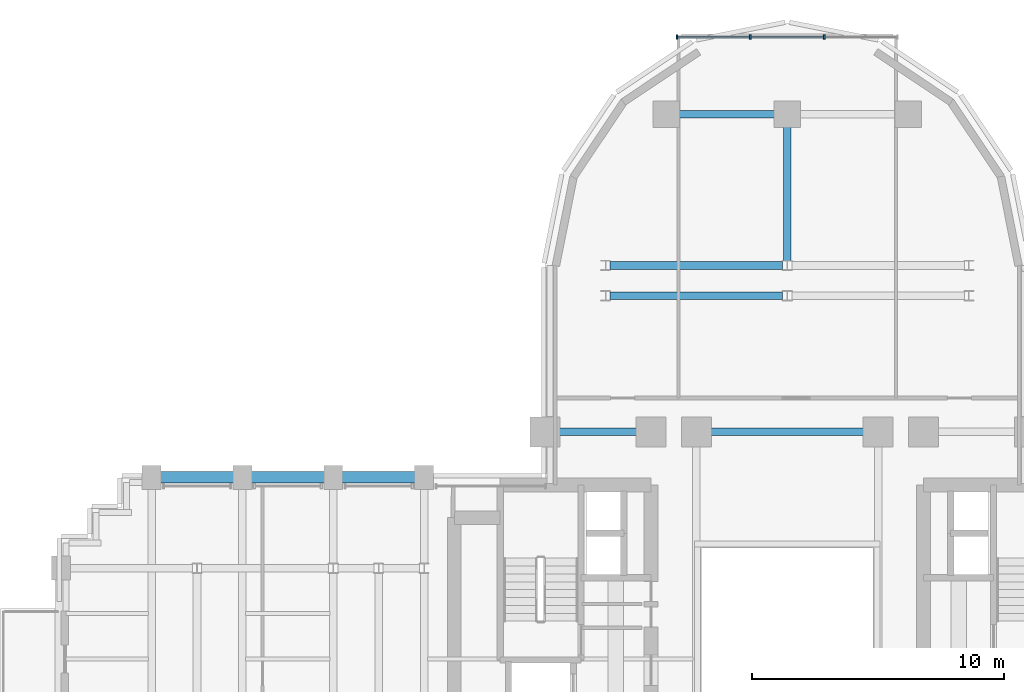
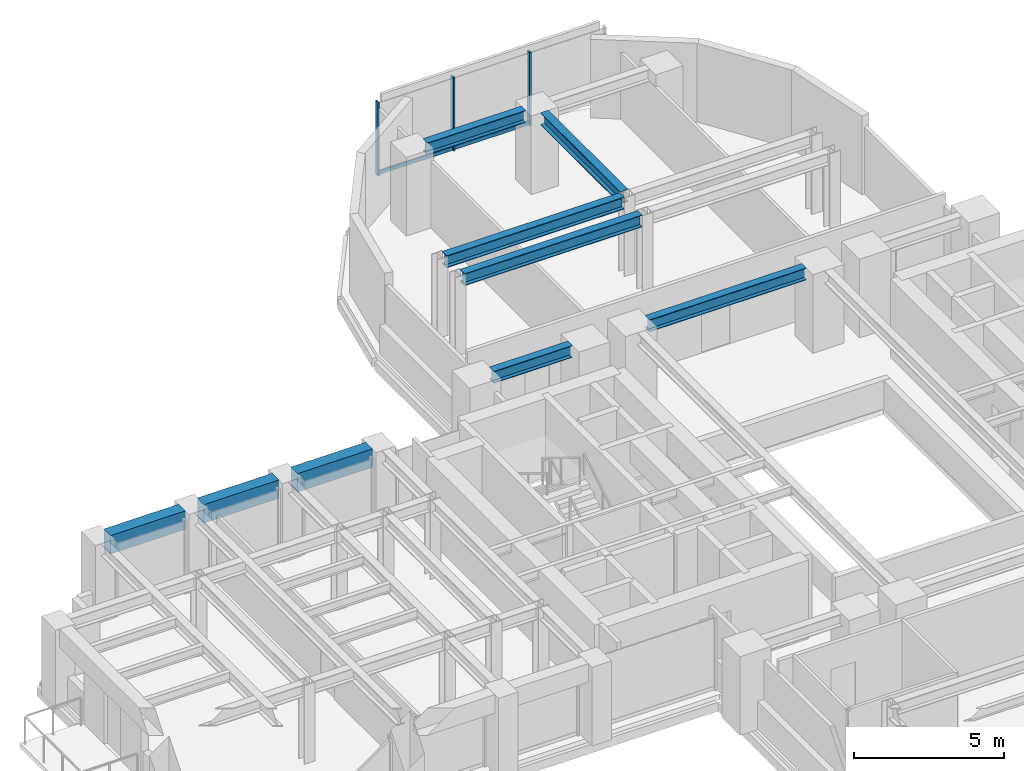
# One storey, part 7 of 15: 9 beams, 5 members, 1 element without a shape of its own.
"""IFC4 building model written with IfcOpenShell, lengths in metres."""

from ifc_helpers import new_model, si_unit, direction, frame, origin, origin_2d, place, context, subcontext, project, spatial, rectangle, i_section, extrude, source, transform, mapped, material, material_profile, profile_set, type_object, element, aggregate, save


model = new_model("IFC4")

# Units and contexts
model_context = context("Model", 3, precision=1e-05, world=origin(), true_north=direction((0.0, 1.0)))
body_context = subcontext(model_context, "Body", "Model", "MODEL_VIEW")
ifc_project = project(units=[si_unit("LENGTHUNIT", "METRE"), si_unit("AREAUNIT", "SQUARE_METRE"), si_unit("VOLUMEUNIT", "CUBIC_METRE"), si_unit("PLANEANGLEUNIT", "RADIAN"), si_unit("MASSUNIT", "GRAM", prefix="KILO")], contexts=[model_context])

# Site, building, storey
site_placement = place(None, origin())
site = spatial("IfcSite", under=ifc_project, at=site_placement, CompositionType="ELEMENT")
building_placement = place(site_placement, origin())
building = spatial("IfcBuilding", under=site, at=building_placement, Name="Keilestroom Media Tower", CompositionType="ELEMENT")
storey_placement = place(building_placement, frame((0.0, 0.0, 47.60009765625)))
storey = spatial("IfcBuildingStorey", under=building, at=storey_placement, Name="L11", CompositionType="ELEMENT", Elevation=47.60009765625)

# Beams
ifc_material_1 = material(Name="Precast concrete C40/50", Category="concrete")
ifc_material_profile_1 = material_profile(ifc_material_1, rectangle(XDim=0.449951171875, YDim=0.75, at=origin_2d()), Name="PC 450x750")
ifc_profile_set_1 = profile_set([ifc_material_profile_1], Name="Precast concrete C40/50")
beam_type_1 = type_object("IfcBeamType", Name="Perimeter-Spandrel-Beam-PC-450x750", PredefinedType="SPANDREL", material=ifc_profile_set_1)
shared_shape_1 = source(origin(), body_context, "Body", "SweptSolid", [
    extrude(rectangle(XDim=0.449951171875, YDim=0.75, at=origin_2d()), origin(), (0.0, 0.0, 1.0), 2.889892578125),
])
beam_1_placement = place(storey_placement, frame((-24.844970703125, 7.199951171875, 2.824951171875), z_axis=(1.0, 0.0, 0.0), x_axis=(0.0, 1.0, 0.0)))
element("IfcBeam", 1, at=beam_1_placement, inside=storey, type_object=beam_type_1, Name="L11 Beam SPB-1 BM-L11-EW-034", PredefinedType="SPANDREL", context=body_context, shape_type="MappedRepresentation", body=[
    mapped(shared_shape_1, transform((0.0, 0.0, 0.0), x_axis=(1.0, 0.0, 0.0), y_axis=(0.0, 1.0, 0.0), z_axis=(0.0, 0.0, 1.0), scale=1.0)),
])
shared_shape_2 = source(origin(), body_context, "Body", "SweptSolid", [
    extrude(rectangle(XDim=0.449951171875, YDim=0.75, at=origin_2d()), origin(), (0.0, 0.0, 1.0), 2.89013671875),
])
for number, where, z_axis, x_axis, name in (
    (2, (-21.2451171875, 7.199951171875, 2.824951171875), (1.0, 0.0, 0.0), (0.0, 1.0, 0.0), "L11 Beam SPB-1 BM-L11-EW-035"),
    (3, (-17.64501953125, 7.199951171875, 2.824951171875), (1.0, 0.0, 0.0), (0.0, 1.0, 0.0), "L11 Beam SPB-1 BM-L11-EW-036"),
):
    element("IfcBeam", number, at=place(storey_placement, frame(where, z_axis=z_axis, x_axis=x_axis)), inside=storey, type_object=beam_type_1, Name=name, PredefinedType="SPANDREL", context=body_context, shape_type="MappedRepresentation", body=[
        mapped(shared_shape_2, transform((0.0, 0.0, 0.0), x_axis=(1.0, 0.0, 0.0), y_axis=(0.0, 1.0, 0.0), z_axis=(0.0, 0.0, 1.0), scale=1.0)),
    ])
ifc_material_2 = material(Name="Steel S355", Category="steel")
ifc_material_profile_2 = material_profile(ifc_material_2, i_section(OverallWidth=0.300048828125, OverallDepth=0.5, WebThickness=0.012451171875, FlangeThickness=0.028076171875, at=origin_2d()), Name="HEB 500")
ifc_profile_set_2 = profile_set([ifc_material_profile_2], Name="Steel S355")
beam_type_2 = type_object("IfcBeamType", Name="Primary-Structural-Girder-HEB-500", PredefinedType="BEAM", material=ifc_profile_set_2)
shared_shape_3 = source(origin(), body_context, "Body", "SweptSolid", [
    extrude(i_section(OverallWidth=0.300048828125, OverallDepth=0.5, WebThickness=0.012451171875, FlangeThickness=0.028076171875, at=origin_2d()), origin(), (0.0, 0.0, 1.0), 5.3115234375),
])
beam_2_placement = place(storey_placement, frame((0.0, 15.783447265625, 2.949951171875), z_axis=(0.0, 1.0, 0.0), x_axis=(-1.0, 0.0, 0.0)))
element("IfcBeam", 4, at=beam_2_placement, inside=storey, type_object=beam_type_2, Name="L11 Beam BG-6 BM-L11-NS-070", PredefinedType="BEAM", context=body_context, shape_type="MappedRepresentation", body=[
    mapped(shared_shape_3, transform((0.0, 0.0, 0.0), x_axis=(1.0, 0.0, 0.0), y_axis=(0.0, 1.0, 0.0), z_axis=(0.0, 0.0, 1.0), scale=1.0)),
])
ifc_material_profile_3 = material_profile(ifc_material_2, i_section(OverallWidth=0.300048828125, OverallDepth=0.489990234375, WebThickness=0.011962890625, FlangeThickness=0.02294921875, at=origin_2d()), Name="HEA 500")
ifc_profile_set_3 = profile_set([ifc_material_profile_3], Name="Steel S355")
beam_type_3 = type_object("IfcBeamType", Name="Primary-Structural-Girder-HEA-500", PredefinedType="BEAM", material=ifc_profile_set_3)
shared_shape_4 = source(origin(), body_context, "Body", "SweptSolid", [
    extrude(i_section(OverallWidth=0.300048828125, OverallDepth=0.489990234375, WebThickness=0.011962890625, FlangeThickness=0.02294921875, at=origin_2d()), origin(), (0.0, 0.0, 1.0), 3.7900390625),
])
beam_3_placement = place(storey_placement, frame((-4.294921875, 21.60009765625, 2.954833984375), z_axis=(1.0, 0.0, 0.0), x_axis=(0.0, 1.0, 0.0)))
element("IfcBeam", 5, at=beam_3_placement, inside=storey, type_object=beam_type_3, Name="L11 Beam BG-10 BM-L11-EW-049", PredefinedType="BEAM", context=body_context, shape_type="MappedRepresentation", body=[
    mapped(shared_shape_4, transform((0.0, 0.0, 0.0), x_axis=(1.0, 0.0, 0.0), y_axis=(0.0, 1.0, 0.0), z_axis=(0.0, 0.0, 1.0), scale=1.0)),
])
shared_shape_5 = source(origin(), body_context, "Body", "SweptSolid", [
    extrude(i_section(OverallWidth=0.300048828125, OverallDepth=0.489990234375, WebThickness=0.011962890625, FlangeThickness=0.02294921875, at=origin_2d()), origin(), (0.0, 0.0, 1.0), 6.836181640625),
])
for number, where, z_axis, x_axis, name in (
    (6, (-7.01806640625, 14.39990234375, 2.954833984375), (1.0, 0.0, 0.0), (0.0, 1.0, 0.0), "L11 Beam BG-10 BM-L11-EW-045"),
    (7, (-7.01806640625, 15.60009765625, 2.954833984375), (1.0, 0.0, 0.0), (0.0, 1.0, 0.0), "L11 Beam BG-10 BM-L11-EW-047"),
):
    element("IfcBeam", number, at=place(storey_placement, frame(where, z_axis=z_axis, x_axis=x_axis)), inside=storey, type_object=beam_type_3, Name=name, PredefinedType="BEAM", context=body_context, shape_type="MappedRepresentation", body=[
        mapped(shared_shape_5, transform((0.0, 0.0, 0.0), x_axis=(1.0, 0.0, 0.0), y_axis=(0.0, 1.0, 0.0), z_axis=(0.0, 0.0, 1.0), scale=1.0)),
    ])
shared_shape_6 = source(origin(), body_context, "Body", "SweptSolid", [
    extrude(i_section(OverallWidth=0.300048828125, OverallDepth=0.489990234375, WebThickness=0.011962890625, FlangeThickness=0.02294921875, at=origin_2d()), origin(), (0.0, 0.0, 1.0), 3.0400390625),
])
beam_4_placement = place(storey_placement, frame((-9.02001953125, 9.0, 2.954833984375), z_axis=(1.0, 0.0, 0.0), x_axis=(0.0, 1.0, 0.0)))
element("IfcBeam", 8, at=beam_4_placement, inside=storey, type_object=beam_type_3, Name="L11 Beam BG-10 BM-L11-EW-040", PredefinedType="BEAM", context=body_context, shape_type="MappedRepresentation", body=[
    mapped(shared_shape_6, transform((0.0, 0.0, 0.0), x_axis=(1.0, 0.0, 0.0), y_axis=(0.0, 1.0, 0.0), z_axis=(0.0, 0.0, 1.0), scale=1.0)),
])
shared_shape_7 = source(origin(), body_context, "Body", "SweptSolid", [
    extrude(i_section(OverallWidth=0.300048828125, OverallDepth=0.489990234375, WebThickness=0.011962890625, FlangeThickness=0.02294921875, at=origin_2d()), origin(), (0.0, 0.0, 1.0), 6.0400390625),
])
beam_5_placement = place(storey_placement, frame((-3.02001953125, 9.0, 2.954833984375), z_axis=(1.0, 0.0, 0.0), x_axis=(0.0, 1.0, 0.0)))
element("IfcBeam", 9, at=beam_5_placement, inside=storey, type_object=beam_type_3, Name="L11 Beam BG-10 BM-L11-EW-042", PredefinedType="BEAM", context=body_context, shape_type="MappedRepresentation", body=[
    mapped(shared_shape_7, transform((0.0, 0.0, 0.0), x_axis=(1.0, 0.0, 0.0), y_axis=(0.0, 1.0, 0.0), z_axis=(0.0, 0.0, 1.0), scale=1.0)),
])

# Curtain wall, members
ifc_material_3 = material(Name="Anodised Aluminium Alloy", Category="aluminium")
curtain_wall_type = type_object("IfcCurtainWallType", Name="Unitised-Curtain-Wall-CW-6", PredefinedType="NOTDEFINED", material=ifc_material_3)
curtain_wall_placement = place(storey_placement, origin())
curtain_wall = element("IfcCurtainWall", 10, at=curtain_wall_placement, inside=storey, type_object=curtain_wall_type, Name="L11 Curtain Wall CW-6 CW-L11-LN-1", PredefinedType="NOTDEFINED")
ifc_material_profile_4 = material_profile(ifc_material_3, rectangle(XDim=0.06494140625, YDim=0.179931640625, at=origin_2d()), Name="ALU MULLION 65x180")
ifc_profile_set_4 = profile_set([ifc_material_profile_4], Name="Anodised Aluminium Alloy")
member_type_1 = type_object("IfcMemberType", Name="Curtain-Wall-Mullion-CW-6", PredefinedType="MULLION", material=ifc_profile_set_4)
shared_shape_8 = source(origin(), body_context, "Body", "SweptSolid", [
    extrude(rectangle(XDim=0.06494140625, YDim=0.179931640625, at=origin_2d()), origin(), (0.0, 0.0, 1.0), 2.97998046875),
])
member_1_placement = place(storey_placement, frame((-4.367431640625, 24.64990234375, 0.0), z_axis=(0.0, 0.0, 1.0), x_axis=(1.0, 0.0, 0.0)))
member_1 = element("IfcMember", 11, at=member_1_placement, type_object=member_type_1, Name="CW-6 Mullion 00", PredefinedType="MULLION", context=body_context, shape_type="MappedRepresentation", body=[
    mapped(shared_shape_8, transform((0.0, 0.0, 0.0), x_axis=(1.0, 0.0, 0.0), y_axis=(0.0, 1.0, 0.0), z_axis=(0.0, 0.0, 1.0), scale=1.0)),
])
member_2_placement = place(storey_placement, frame((-1.466796875, 24.64990234375, 0.0), z_axis=(0.0, 0.0, 1.0), x_axis=(1.0, 0.0, 0.0)))
member_2 = element("IfcMember", 12, at=member_2_placement, type_object=member_type_1, Name="CW-6 Mullion 01", PredefinedType="MULLION", context=body_context, shape_type="MappedRepresentation", body=[
    mapped(shared_shape_8, transform((0.0, 0.0, 0.0), x_axis=(1.0, 0.0, 0.0), y_axis=(0.0, 1.0, 0.0), z_axis=(0.0, 0.0, 1.0), scale=1.0)),
])
member_3_placement = place(storey_placement, frame((1.466796875, 24.64990234375, 0.0), z_axis=(0.0, 0.0, 1.0), x_axis=(1.0, 0.0, 0.0)))
member_3 = element("IfcMember", 13, at=member_3_placement, type_object=member_type_1, Name="CW-6 Mullion 02", PredefinedType="MULLION", context=body_context, shape_type="MappedRepresentation", body=[
    mapped(shared_shape_8, transform((0.0, 0.0, 0.0), x_axis=(1.0, 0.0, 0.0), y_axis=(0.0, 1.0, 0.0), z_axis=(0.0, 0.0, 1.0), scale=1.0)),
])
ifc_material_profile_5 = material_profile(ifc_material_3, rectangle(XDim=0.06494140625, YDim=0.14990234375, at=origin_2d()), Name="ALU TRANSOM 65x150")
ifc_profile_set_5 = profile_set([ifc_material_profile_5], Name="Anodised Aluminium Alloy")
member_type_2 = type_object("IfcMemberType", Name="Curtain-Wall-Transom-CW-6", PredefinedType="USERDEFINED", material=ifc_profile_set_5)
shared_shape_9 = source(origin(), body_context, "Body", "SweptSolid", [
    extrude(rectangle(XDim=0.06494140625, YDim=0.14990234375, at=origin_2d()), origin(), (0.0, 0.0, 1.0), 2.839599609375),
])
member_4_placement = place(storey_placement, frame((-4.3369140625, 24.64990234375, 0.074951171875), z_axis=(1.0, 0.0, 0.0), x_axis=(0.0, 1.0, 0.0)))
member_4 = element("IfcMember", 14, at=member_4_placement, type_object=member_type_2, Name="CW-6 Transom 00.1", ObjectType="TRANSOM", PredefinedType="USERDEFINED", context=body_context, shape_type="MappedRepresentation", body=[
    mapped(shared_shape_9, transform((0.0, 0.0, 0.0), x_axis=(1.0, 0.0, 0.0), y_axis=(0.0, 1.0, 0.0), z_axis=(0.0, 0.0, 1.0), scale=1.0)),
])
shared_shape_10 = source(origin(), body_context, "Body", "SweptSolid", [
    extrude(rectangle(XDim=0.06494140625, YDim=0.14990234375, at=origin_2d()), origin(), (0.0, 0.0, 1.0), 2.87255859375),
])
member_5_placement = place(storey_placement, frame((-1.436279296875, 24.64990234375, 0.074951171875), z_axis=(1.0, 0.0, 0.0), x_axis=(0.0, 1.0, 0.0)))
member_5 = element("IfcMember", 15, at=member_5_placement, type_object=member_type_2, Name="CW-6 Transom 01.1", ObjectType="TRANSOM", PredefinedType="USERDEFINED", context=body_context, shape_type="MappedRepresentation", body=[
    mapped(shared_shape_10, transform((0.0, 0.0, 0.0), x_axis=(1.0, 0.0, 0.0), y_axis=(0.0, 1.0, 0.0), z_axis=(0.0, 0.0, 1.0), scale=1.0)),
])
aggregate(curtain_wall, [member_1, member_2, member_3, member_4, member_5])

save(model, "model.ifc")
